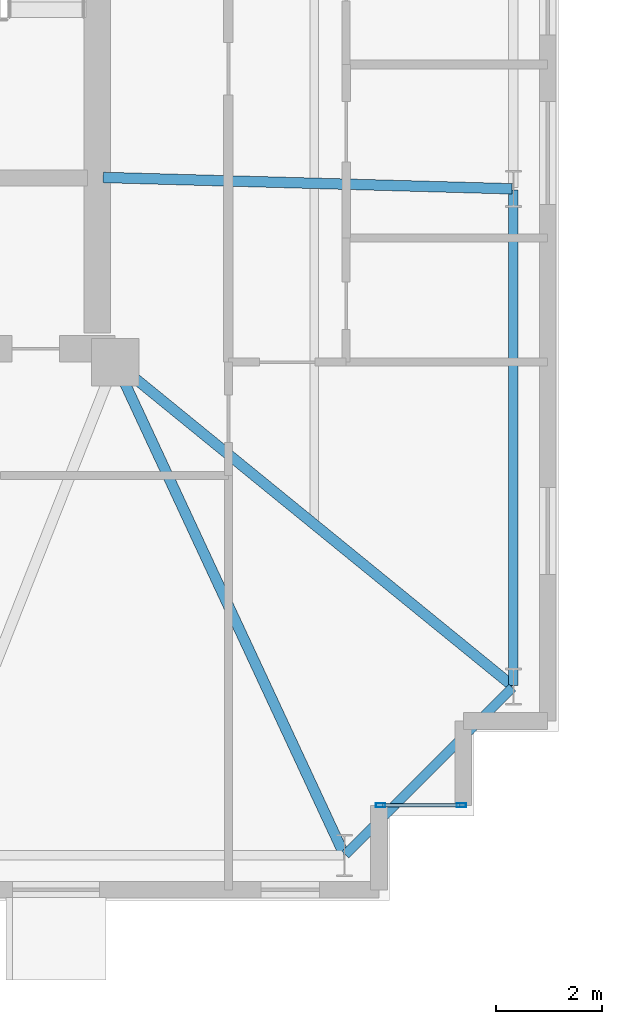
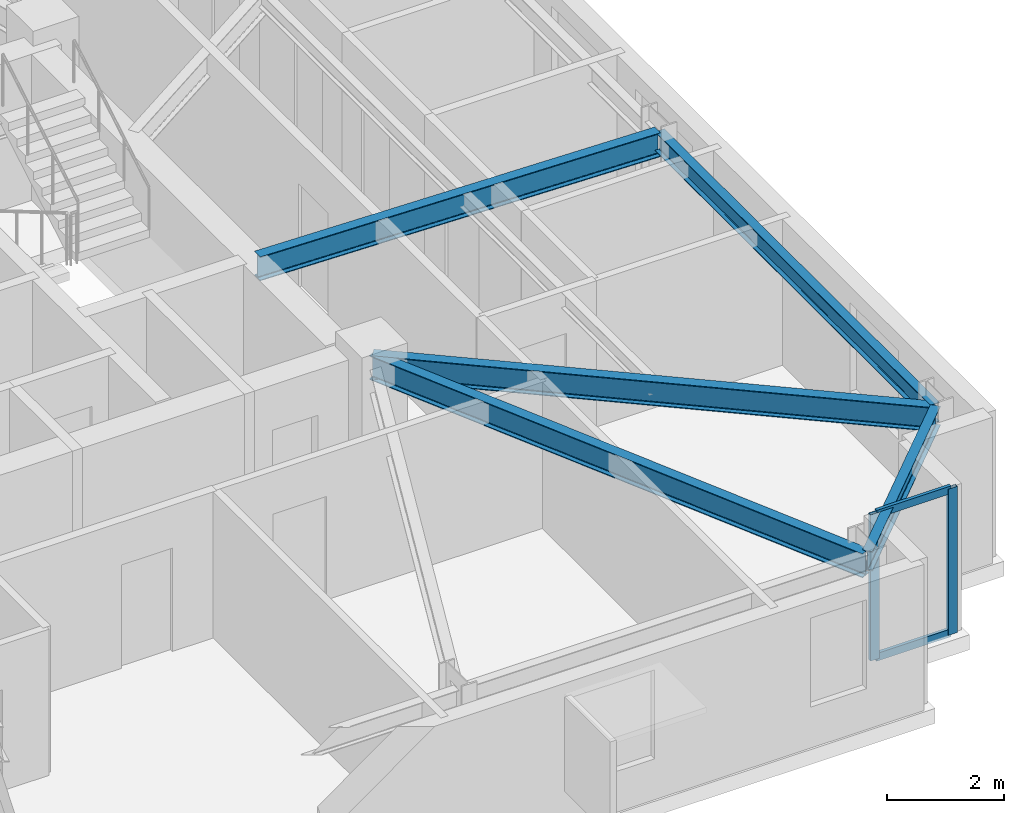
# One storey, part 5 of 17: 5 beams, 4 members, 1 element without a shape of its own.
"""IFC4 building model written with IfcOpenShell, lengths in metres."""

from ifc_helpers import new_model, si_unit, direction, frame, origin, origin_2d, place, context, subcontext, project, spatial, hollow_rectangle, i_section, extrude, material, layer, layer_set, material_profile, profile_set, type_object, element, aggregate, save


model = new_model("IFC4")

# Units and contexts
model_context = context("Model", 3, precision=1e-05, world=origin(), true_north=direction((0.0, 1.0)))
body_context = subcontext(model_context, "Body", "Model", "MODEL_VIEW")
ifc_project = project(units=[si_unit("LENGTHUNIT", "METRE"), si_unit("AREAUNIT", "SQUARE_METRE"), si_unit("VOLUMEUNIT", "CUBIC_METRE"), si_unit("PLANEANGLEUNIT", "RADIAN"), si_unit("MASSUNIT", "GRAM", prefix="KILO")], contexts=[model_context])

# Site, building, storey
site_placement = place(None, origin())
site = spatial("IfcSite", under=ifc_project, at=site_placement, CompositionType="ELEMENT")
building_placement = place(site_placement, origin())
building = spatial("IfcBuilding", under=site, at=building_placement, Name="Qobustan Lattice House", CompositionType="ELEMENT")
storey_placement = place(building_placement, frame((0.0, 0.0, 161.14990234375)))
storey = spatial("IfcBuildingStorey", under=building, at=storey_placement, Name="L45", CompositionType="ELEMENT", Elevation=161.14990234375)

# Beams
ifc_material_1 = material(Name="Steel S355", Category="steel")
ifc_material_profile_1 = material_profile(ifc_material_1, i_section(OverallWidth=0.199951171875, OverallDepth=0.5, WebThickness=0.01025390625, FlangeThickness=0.01611328125, FilletRadius=0.02099609375, at=origin_2d()), Name="IPE500")
ifc_profile_set_1 = profile_set([ifc_material_profile_1], Name="Steel S355")
beam_type_1 = type_object("IfcBeamType", Name="BM-FLG-IPE500", PredefinedType="USERDEFINED", material=ifc_profile_set_1)
beam_1_placement = place(storey_placement, frame((23.139404296875, -14.92724609375, 2.7900390625), z_axis=(-0.421827633168, 0.906676043521, 0.0), x_axis=(-0.906676043521, -0.421827633168, 0.0)))
element("IfcBeam", 1, at=beam_1_placement, inside=storey, type_object=beam_type_1, Name="L45 primary floor girder RAD-S7E", ObjectType="GIRDER", PredefinedType="USERDEFINED", context=body_context, shape_type="SweptSolid", body=[
    extrude(i_section(OverallWidth=0.199951171875, OverallDepth=0.5, WebThickness=0.01025390625, FlangeThickness=0.01611328125, FilletRadius=0.02099609375, at=origin_2d()), origin(), (0.0, 0.0, 1.0), 10.26220703125),
])
beam_2_placement = place(storey_placement, frame((26.324951171875, -2.31591796875, 2.7900390625), z_axis=(-0.999614226396, 0.027774059592, 0.0), x_axis=(-0.027774059592, -0.999614226396, 0.0)))
element("IfcBeam", 2, at=beam_2_placement, inside=storey, type_object=beam_type_1, Name="L45 primary floor girder RAD-E2", ObjectType="GIRDER", PredefinedType="USERDEFINED", context=body_context, shape_type="SweptSolid", body=[
    extrude(i_section(OverallWidth=0.199951171875, OverallDepth=0.5, WebThickness=0.01025390625, FlangeThickness=0.01611328125, FilletRadius=0.02099609375, at=origin_2d()), origin(), (0.0, 0.0, 1.0), 7.7529296875),
])
beam_3_placement = place(storey_placement, frame((26.33056640625, -11.734130859375, 2.7900390625), z_axis=(-0.775328675038, 0.631557951152, 0.0), x_axis=(-0.631557951152, -0.775328675038, 0.0)))
element("IfcBeam", 3, at=beam_3_placement, inside=storey, type_object=beam_type_1, Name="L45 primary floor girder RAD-E1", ObjectType="GIRDER", PredefinedType="USERDEFINED", context=body_context, shape_type="SweptSolid", body=[
    extrude(i_section(OverallWidth=0.199951171875, OverallDepth=0.5, WebThickness=0.01025390625, FlangeThickness=0.01611328125, FilletRadius=0.02099609375, at=origin_2d()), origin(), (0.0, 0.0, 1.0), 9.687744140625),
])
ifc_material_2 = material(Name="Steel S355", Category="steel")
ifc_material_profile_2 = material_profile(ifc_material_2, i_section(OverallWidth=0.179931640625, OverallDepth=0.39990234375, WebThickness=0.008544921875, FlangeThickness=0.013427734375, FilletRadius=0.02099609375, at=origin_2d()), Name="IPE400")
ifc_profile_set_2 = profile_set([ifc_material_profile_2], Name="Steel S355")
beam_type_2 = type_object("IfcBeamType", Name="BM-SPD-IPE400", PredefinedType="SPANDREL", material=ifc_profile_set_2)
beam_4_placement = place(storey_placement, frame((23.167724609375, -14.932373046875, 2.840087890625), z_axis=(0.707079505568, 0.707134055753, 0.0), x_axis=(-0.707134055753, 0.707079505568, 0.0)))
element("IfcBeam", 4, at=beam_4_placement, inside=storey, type_object=beam_type_2, Name="L45 perimeter spandrel S7-E1", PredefinedType="SPANDREL", context=body_context, shape_type="SweptSolid", body=[
    extrude(i_section(OverallWidth=0.179931640625, OverallDepth=0.39990234375, WebThickness=0.008544921875, FlangeThickness=0.013427734375, FilletRadius=0.02099609375, at=origin_2d()), origin(), (0.0, 0.0, 1.0), 4.4755859375),
])
beam_5_placement = place(storey_placement, frame((26.35009765625, -11.72509765625, 2.840087890625), z_axis=(0.0, 1.0, 0.0), x_axis=(-1.0, 0.0, 0.0)))
element("IfcBeam", 5, at=beam_5_placement, inside=storey, type_object=beam_type_2, Name="L45 perimeter spandrel E1-E2", PredefinedType="SPANDREL", context=body_context, shape_type="SweptSolid", body=[
    extrude(i_section(OverallWidth=0.179931640625, OverallDepth=0.39990234375, WebThickness=0.008544921875, FlangeThickness=0.013427734375, FilletRadius=0.02099609375, at=origin_2d()), origin(), (0.0, 0.0, 1.0), 9.38330078125),
])

# Curtain wall, members
ifc_material_3 = material(Name="Anodised aluminium and low-E glazing", Category="aluminium")
ifc_layer = layer(ifc_material_3, 0.219970703125)
ifc_layer_set = layer_set([ifc_layer], Name="Anodised aluminium and low-E glazing")
curtain_wall_type = type_object("IfcCurtainWallType", Name="CW-FAC-02", PredefinedType="USERDEFINED", material=ifc_layer_set)
curtain_wall_placement = place(storey_placement, origin())
curtain_wall = element("IfcCurtainWall", 6, at=curtain_wall_placement, inside=storey, type_object=curtain_wall_type, Name="L45 serrated corner faceted glazing 18", ObjectType="CURTAIN WALL", PredefinedType="USERDEFINED")
ifc_material_4 = material(Name="Anodised aluminium EN AW-6063 T6", Category="aluminium")
ifc_material_profile_3 = material_profile(ifc_material_4, hollow_rectangle(XDim=0.070068359375, YDim=0.179931640625, WallThickness=0.00439453125, at=origin_2d()), Name="CWM-180x70")
ifc_profile_set_3 = profile_set([ifc_material_profile_3], Name="Anodised aluminium EN AW-6063 T6")
member_type_1 = type_object("IfcMemberType", Name="CWM-STD-180", PredefinedType="MULLION", material=ifc_profile_set_3)
member_1_placement = place(storey_placement, frame((25.364990234375, -14.0, 0.0), z_axis=(0.0, 0.0, 1.0), x_axis=(0.0, -1.0, 0.0)))
member_1 = element("IfcMember", 7, at=member_1_placement, type_object=member_type_1, Name="CW-F2 mullion 1", PredefinedType="MULLION", context=body_context, shape_type="SweptSolid", body=[
    extrude(hollow_rectangle(XDim=0.070068359375, YDim=0.179931640625, WallThickness=0.00439453125, at=origin_2d()), origin(), (0.0, 0.0, 1.0), 3.0400390625),
])
member_2_placement = place(storey_placement, frame((23.8349609375, -14.0, 0.0), z_axis=(0.0, 0.0, 1.0), x_axis=(0.0, -1.0, 0.0)))
member_2 = element("IfcMember", 8, at=member_2_placement, type_object=member_type_1, Name="CW-F2 mullion 2", PredefinedType="MULLION", context=body_context, shape_type="SweptSolid", body=[
    extrude(hollow_rectangle(XDim=0.070068359375, YDim=0.179931640625, WallThickness=0.00439453125, at=origin_2d()), origin(), (0.0, 0.0, 1.0), 3.0400390625),
])
ifc_material_5 = material(Name="Anodised aluminium EN AW-6063 T6", Category="aluminium")
ifc_material_profile_4 = material_profile(ifc_material_5, hollow_rectangle(XDim=0.06494140625, YDim=0.159912109375, WallThickness=0.00390625, at=origin_2d()), Name="CWT-160x65")
ifc_profile_set_4 = profile_set([ifc_material_profile_4], Name="Anodised aluminium EN AW-6063 T6")
member_type_2 = type_object("IfcMemberType", Name="CWT-HOR-160", PredefinedType="USERDEFINED", material=ifc_profile_set_4)
member_3_placement = place(storey_placement, frame((25.330078125, -14.0, 0.03271484375), z_axis=(-1.0, 0.0, 0.0), x_axis=(0.0, -1.0, 0.0)))
member_3 = element("IfcMember", 9, at=member_3_placement, type_object=member_type_2, Name="CW-F2 transom 1.1", ObjectType="TRANSOM", PredefinedType="USERDEFINED", context=body_context, shape_type="SweptSolid", body=[
    extrude(hollow_rectangle(XDim=0.06494140625, YDim=0.159912109375, WallThickness=0.00390625, at=origin_2d()), origin(), (0.0, 0.0, 1.0), 1.4599609375),
])
member_4_placement = place(storey_placement, frame((25.330078125, -14.0, 3.007568359375), z_axis=(-1.0, 0.0, 0.0), x_axis=(0.0, -1.0, 0.0)))
member_4 = element("IfcMember", 10, at=member_4_placement, type_object=member_type_2, Name="CW-F2 transom 1.2", ObjectType="TRANSOM", PredefinedType="USERDEFINED", context=body_context, shape_type="SweptSolid", body=[
    extrude(hollow_rectangle(XDim=0.06494140625, YDim=0.159912109375, WallThickness=0.00390625, at=origin_2d()), origin(), (0.0, 0.0, 1.0), 1.4599609375),
])
aggregate(curtain_wall, [member_1, member_2, member_3, member_4])

save(model, "model.ifc")
